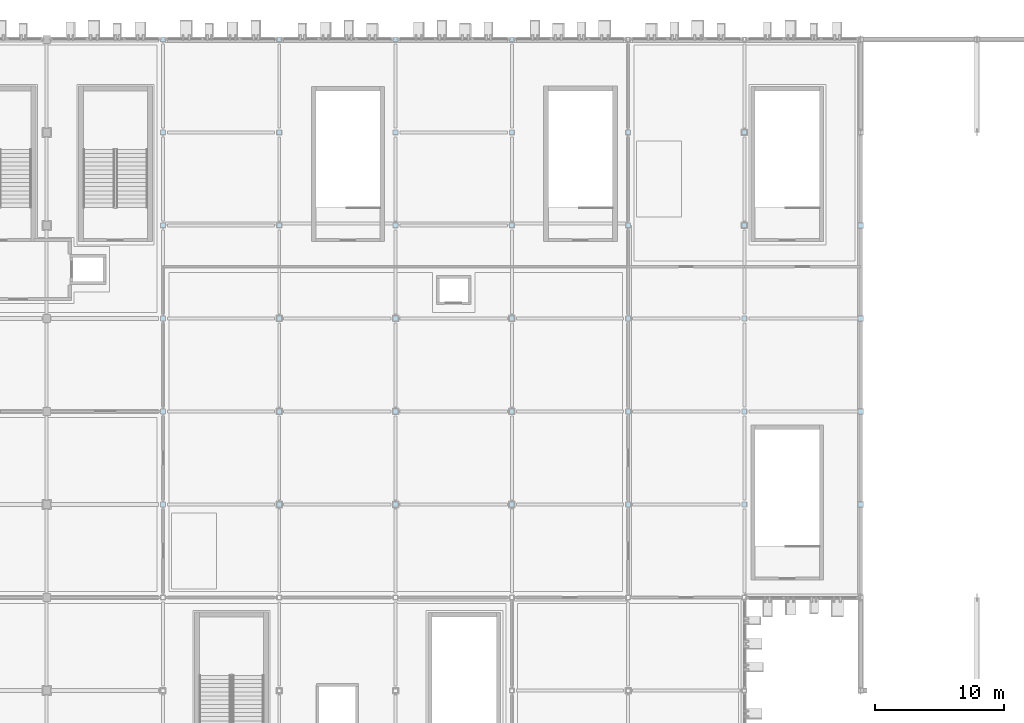
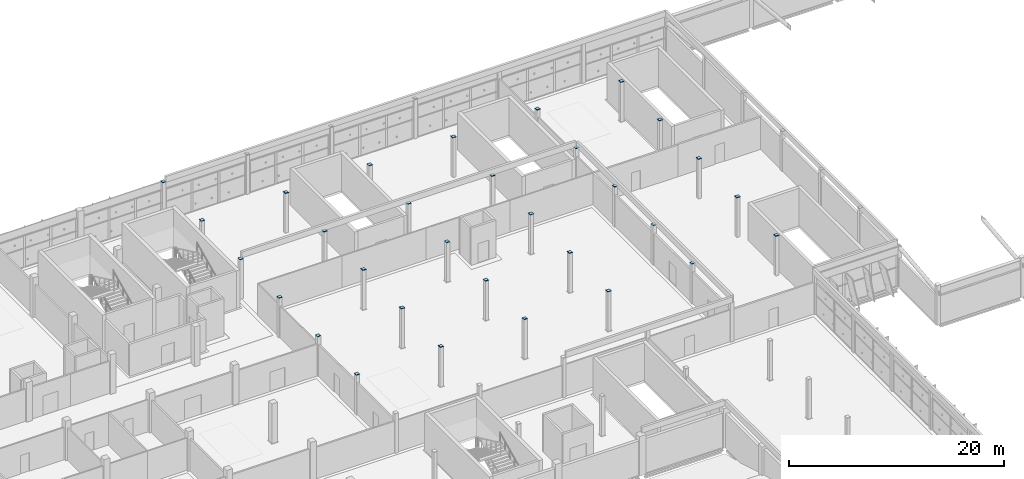
# One storey, part 95 of 124: 38 plates.
"""IFC4 building model written with IfcOpenShell, lengths in metres."""

from ifc_helpers import new_model, si_unit, direction, frame, origin, origin_2d, place, context, subcontext, project, spatial, rectangle, extrude, material, layer, layer_set, type_object, element, save


model = new_model("IFC4")

# Units and contexts
model_context = context("Model", 3, precision=1e-05, world=origin(), true_north=direction((0.0, 1.0)))
body_context = subcontext(model_context, "Body", "Model", "MODEL_VIEW")
ifc_project = project(units=[si_unit("LENGTHUNIT", "METRE"), si_unit("AREAUNIT", "SQUARE_METRE"), si_unit("VOLUMEUNIT", "CUBIC_METRE"), si_unit("PLANEANGLEUNIT", "RADIAN"), si_unit("MASSUNIT", "GRAM", prefix="KILO")], contexts=[model_context])

# Site, building, storey
site_placement = place(None, origin())
site = spatial("IfcSite", under=ifc_project, at=site_placement, CompositionType="ELEMENT")
building_placement = place(site_placement, origin())
building = spatial("IfcBuilding", under=site, at=building_placement, Name="Celestram Park Convention Centre", CompositionType="ELEMENT")
storey_placement = place(building_placement, frame((0.0, 0.0, 15.300048828125)))
storey = spatial("IfcBuildingStorey", under=building, at=storey_placement, Name="L03", CompositionType="ELEMENT", Elevation=15.300048828125)

# Plates
ifc_material = material(Name="Steel ASTM A572 Grade 50", Category="steel")
ifc_layer_1 = layer(ifc_material, 0.02490234375)
ifc_layer_set_1 = layer_set([ifc_layer_1], Name="Steel ASTM A572 Grade 50")
plate_type_1 = type_object("IfcPlateType", Name="STR-PLT-EC350", PredefinedType="USERDEFINED", material=ifc_layer_set_1)
for number, where, z_axis, x_axis, name in (
    (1, (99.0, 129.60009765625, 4.49951171875), (0.0, 0.0, 1.0), (1.0, 0.0, 0.0), "HSS column end closure cap plate EC-L03-049"),
    (2, (99.0, 136.800048828125, 4.49951171875), (0.0, 0.0, 1.0), (1.0, 0.0, 0.0), "HSS column end closure cap plate EC-L03-051"),
    (3, (99.0, 144.0, 4.49951171875), (0.0, 0.0, 1.0), (1.0, 0.0, 0.0), "HSS column end closure cap plate EC-L03-053"),
    (4, (99.0, 151.199951171875, 4.49951171875), (0.0, 0.0, 1.0), (1.0, 0.0, 0.0), "HSS column end closure cap plate EC-L03-055"),
    (5, (99.0, 158.39990234375, 4.49951171875), (0.0, 0.0, 1.0), (1.0, 0.0, 0.0), "HSS column end closure cap plate EC-L03-057"),
    (6, (99.0, 165.60009765625, 4.49951171875), (0.0, 0.0, 1.0), (1.0, 0.0, 0.0), "HSS column end closure cap plate EC-L03-059"),
    (7, (108.0, 129.60009765625, 4.49951171875), (0.0, 0.0, 1.0), (1.0, 0.0, 0.0), "HSS column end closure cap plate EC-L03-064"),
    (8, (108.0, 136.800048828125, 4.49951171875), (0.0, 0.0, 1.0), (1.0, 0.0, 0.0), "HSS column end closure cap plate EC-L03-065"),
    (9, (108.0, 144.0, 4.49951171875), (0.0, 0.0, 1.0), (1.0, 0.0, 0.0), "HSS column end closure cap plate EC-L03-066"),
    (10, (108.0, 151.199951171875, 4.49951171875), (0.0, 0.0, 1.0), (1.0, 0.0, 0.0), "HSS column end closure cap plate EC-L03-067"),
    (11, (108.0, 158.39990234375, 4.49951171875), (0.0, 0.0, 1.0), (1.0, 0.0, 0.0), "HSS column end closure cap plate EC-L03-068"),
    (12, (108.0, 165.60009765625, 4.49951171875), (0.0, 0.0, 1.0), (1.0, 0.0, 0.0), "HSS column end closure cap plate EC-L03-069"),
    (13, (117.0, 129.60009765625, 4.49951171875), (0.0, 0.0, 1.0), (1.0, 0.0, 0.0), "HSS column end closure cap plate EC-L03-073"),
    (14, (117.0, 136.800048828125, 4.49951171875), (0.0, 0.0, 1.0), (1.0, 0.0, 0.0), "HSS column end closure cap plate EC-L03-074"),
    (15, (117.0, 144.0, 4.49951171875), (0.0, 0.0, 1.0), (1.0, 0.0, 0.0), "HSS column end closure cap plate EC-L03-075"),
    (16, (117.0, 151.199951171875, 4.49951171875), (0.0, 0.0, 1.0), (1.0, 0.0, 0.0), "HSS column end closure cap plate EC-L03-076"),
    (17, (117.0, 158.39990234375, 4.49951171875), (0.0, 0.0, 1.0), (1.0, 0.0, 0.0), "HSS column end closure cap plate EC-L03-077"),
    (18, (117.0, 165.60009765625, 4.49951171875), (0.0, 0.0, 1.0), (1.0, 0.0, 0.0), "HSS column end closure cap plate EC-L03-078"),
    (19, (126.0, 129.60009765625, 4.49951171875), (0.0, 0.0, 1.0), (1.0, 0.0, 0.0), "HSS column end closure cap plate EC-L03-081"),
    (20, (126.0, 136.800048828125, 4.49951171875), (0.0, 0.0, 1.0), (1.0, 0.0, 0.0), "HSS column end closure cap plate EC-L03-082"),
    (21, (126.0, 144.0, 4.49951171875), (0.0, 0.0, 1.0), (1.0, 0.0, 0.0), "HSS column end closure cap plate EC-L03-083"),
    (22, (126.0, 151.199951171875, 4.49951171875), (0.0, 0.0, 1.0), (1.0, 0.0, 0.0), "HSS column end closure cap plate EC-L03-084"),
    (23, (126.0, 158.39990234375, 4.49951171875), (0.0, 0.0, 1.0), (1.0, 0.0, 0.0), "HSS column end closure cap plate EC-L03-085"),
    (24, (126.0, 165.60009765625, 4.49951171875), (0.0, 0.0, 1.0), (1.0, 0.0, 0.0), "HSS column end closure cap plate EC-L03-086"),
    (25, (135.0, 129.60009765625, 4.49951171875), (0.0, 0.0, 1.0), (1.0, 0.0, 0.0), "HSS column end closure cap plate EC-L03-098"),
    (26, (135.0, 136.800048828125, 4.49951171875), (0.0, 0.0, 1.0), (1.0, 0.0, 0.0), "HSS column end closure cap plate EC-L03-099"),
    (27, (135.0, 144.0, 4.49951171875), (0.0, 0.0, 1.0), (1.0, 0.0, 0.0), "HSS column end closure cap plate EC-L03-100"),
    (28, (135.0, 151.199951171875, 4.49951171875), (0.0, 0.0, 1.0), (1.0, 0.0, 0.0), "HSS column end closure cap plate EC-L03-101"),
    (29, (135.0, 158.39990234375, 4.49951171875), (0.0, 0.0, 1.0), (1.0, 0.0, 0.0), "HSS column end closure cap plate EC-L03-102"),
    (30, (144.0, 129.60009765625, 4.49951171875), (0.0, 0.0, 1.0), (1.0, 0.0, 0.0), "HSS column end closure cap plate EC-L03-115"),
    (31, (144.0, 136.800048828125, 4.49951171875), (0.0, 0.0, 1.0), (1.0, 0.0, 0.0), "HSS column end closure cap plate EC-L03-116"),
    (32, (144.0, 144.0, 4.49951171875), (0.0, 0.0, 1.0), (1.0, 0.0, 0.0), "HSS column end closure cap plate EC-L03-117"),
    (33, (144.0, 151.199951171875, 4.49951171875), (0.0, 0.0, 1.0), (1.0, 0.0, 0.0), "HSS column end closure cap plate EC-L03-118"),
    (34, (144.0, 158.39990234375, 4.49951171875), (0.0, 0.0, 1.0), (1.0, 0.0, 0.0), "HSS column end closure cap plate EC-L03-119"),
):
    element("IfcPlate", number, at=place(storey_placement, frame(where, z_axis=z_axis, x_axis=x_axis)), inside=storey, type_object=plate_type_1, Name=name, ObjectType="GUSSET_PLATE", PredefinedType="USERDEFINED", context=body_context, shape_type="SweptSolid", body=[
        extrude(rectangle(XDim=0.3701171875, YDim=0.3701171875, at=origin_2d()), origin(), (0.0, 0.0, 1.0), 0.02490234375),
    ])
ifc_layer_2 = layer(ifc_material, 0.02490234375)
ifc_layer_set_2 = layer_set([ifc_layer_2], Name="Steel ASTM A572 Grade 50")
plate_type_2 = type_object("IfcPlateType", Name="STR-PLT-EC400", PredefinedType="USERDEFINED", material=ifc_layer_set_2)
for number, where, z_axis, x_axis, name in (
    (35, (153.0, 129.60009765625, 4.49951171875), (0.0, 0.0, 1.0), (1.0, 0.0, 0.0), "HSS column end closure cap plate EC-L03-126"),
    (36, (153.0, 136.800048828125, 4.49951171875), (0.0, 0.0, 1.0), (1.0, 0.0, 0.0), "HSS column end closure cap plate EC-L03-128"),
    (37, (153.0, 144.0, 4.49951171875), (0.0, 0.0, 1.0), (1.0, 0.0, 0.0), "HSS column end closure cap plate EC-L03-130"),
    (38, (153.0, 151.199951171875, 4.49951171875), (0.0, 0.0, 1.0), (1.0, 0.0, 0.0), "HSS column end closure cap plate EC-L03-132"),
):
    element("IfcPlate", number, at=place(storey_placement, frame(where, z_axis=z_axis, x_axis=x_axis)), inside=storey, type_object=plate_type_2, Name=name, ObjectType="GUSSET_PLATE", PredefinedType="USERDEFINED", context=body_context, shape_type="SweptSolid", body=[
        extrude(rectangle(XDim=0.429931640625, YDim=0.429931640625, at=origin_2d()), origin(), (0.0, 0.0, 1.0), 0.02490234375),
    ])

save(model, "model.ifc")
